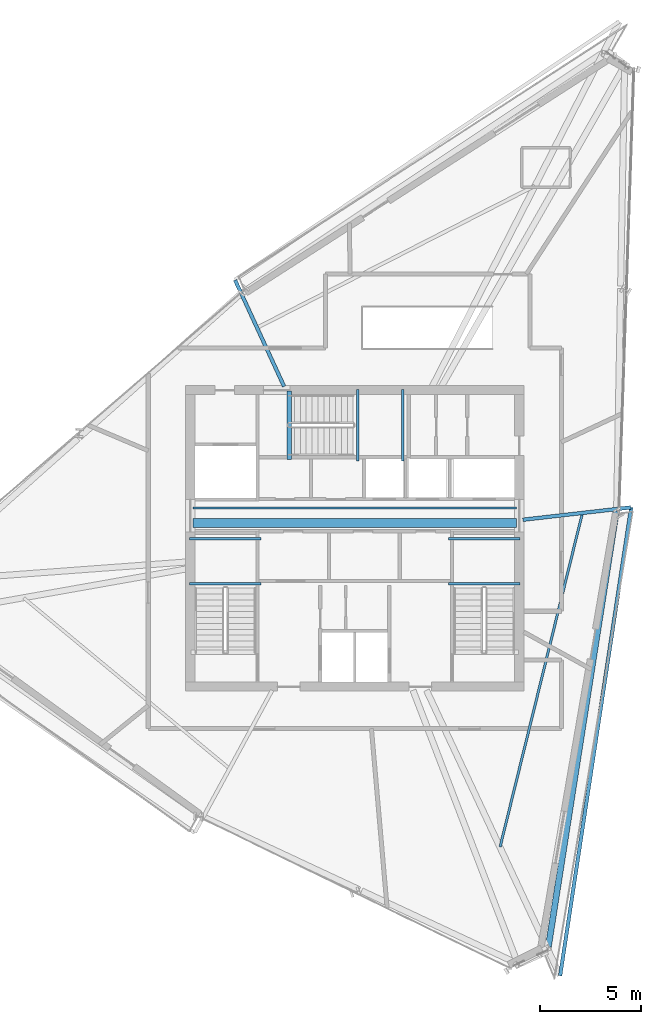
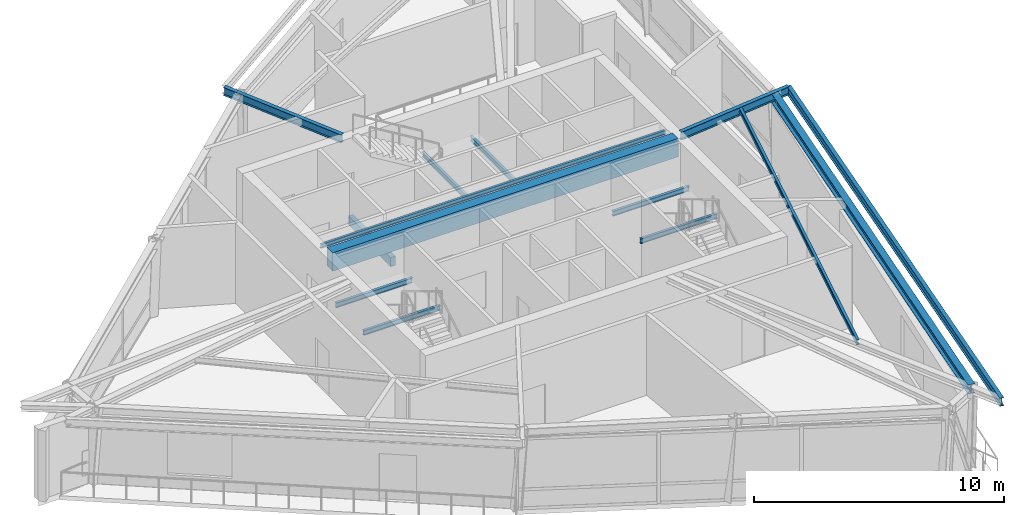
# One storey, part 9 of 22: 14 beams.
"""IFC4 building model written with IfcOpenShell, lengths in metres."""

from ifc_helpers import new_model, si_unit, direction, frame, origin, origin_2d, place, context, subcontext, project, spatial, rectangle, i_section, extrude, source, transform, mapped, material, material_profile, profile_set, type_object, element, save


model = new_model("IFC4")

# Units and contexts
model_context = context("Model", 3, precision=1e-05, world=origin(), true_north=direction((0.0, 1.0)))
body_context = subcontext(model_context, "Body", "Model", "MODEL_VIEW")
ifc_project = project(units=[si_unit("LENGTHUNIT", "METRE"), si_unit("AREAUNIT", "SQUARE_METRE"), si_unit("VOLUMEUNIT", "CUBIC_METRE"), si_unit("PLANEANGLEUNIT", "RADIAN"), si_unit("MASSUNIT", "GRAM", prefix="KILO")], contexts=[model_context])

# Site, building, storey
site_placement = place(None, origin())
site = spatial("IfcSite", under=ifc_project, at=site_placement, CompositionType="ELEMENT")
building_placement = place(site_placement, origin())
building = spatial("IfcBuilding", under=site, at=building_placement, Name="Olszyna Solenne Hotel", CompositionType="ELEMENT")
storey_placement = place(building_placement, frame((0.0, 0.0, 281.89990234375)))
storey = spatial("IfcBuildingStorey", under=building, at=storey_placement, Name="L75", CompositionType="ELEMENT", Elevation=281.89990234375)

# Beams
ifc_material_1 = material(Name="Steel S355J2", Category="steel")
ifc_material_profile_1 = material_profile(ifc_material_1, i_section(OverallWidth=0.300048828125, OverallDepth=0.449951171875, WebThickness=0.013916015625, FlangeThickness=0.02587890625, at=origin_2d()), Name="HEB 450", Category="load-bearing")
ifc_profile_set_1 = profile_set([ifc_material_profile_1], Name="Steel S355J2")
beam_type_1 = type_object("IfcBeamType", Name="BM-S4", PredefinedType="BEAM", material=ifc_profile_set_1)
shared_shape_1 = source(origin(), body_context, "Body", "SweptSolid", [
    extrude(i_section(OverallWidth=0.300048828125, OverallDepth=0.449951171875, WebThickness=0.013916015625, FlangeThickness=0.02587890625, at=origin_2d()), origin(), (0.0, 0.0, 1.0), 21.804931640625),
])
beam_1_placement = place(storey_placement, frame((47.5595703125, 6.427001953125, 3.695068359375), z_axis=(0.154255285738, 0.988031025233, 0.0), x_axis=(-0.988031025233, 0.154255285738, 0.0)))
element("IfcBeam", 1, at=beam_1_placement, inside=storey, type_object=beam_type_1, Name="Perimeter spandrel beam BM-S4 B-L75-2205", PredefinedType="BEAM", context=body_context, shape_type="MappedRepresentation", body=[
    mapped(shared_shape_1, transform((0.0, 0.0, 0.0), x_axis=(1.0, 0.0, 0.0), y_axis=(0.0, 1.0, 0.0), z_axis=(0.0, 0.0, 1.0), scale=1.0)),
])
ifc_material_profile_2 = material_profile(ifc_material_1, i_section(OverallWidth=0.179931640625, OverallDepth=0.39990234375, WebThickness=0.008544921875, FlangeThickness=0.013427734375, at=origin_2d()), Name="IPE 400", Category="load-bearing")
ifc_profile_set_2 = profile_set([ifc_material_profile_2], Name="Steel S355J2")
beam_type_2 = type_object("IfcBeamType", Name="BM-F5", PredefinedType="BEAM", material=ifc_profile_set_2)
shared_shape_2 = source(origin(), body_context, "Body", "SweptSolid", [
    extrude(i_section(OverallWidth=0.179931640625, OverallDepth=0.39990234375, WebThickness=0.008544921875, FlangeThickness=0.013427734375, at=origin_2d()), origin(), (0.0, 0.0, 1.0), 5.780029296875),
])
beam_2_placement = place(storey_placement, frame((32.088623046875, 39.35400390625, 3.72021484375), z_axis=(0.418621531577, -0.90816078604, 0.0), x_axis=(0.90816078604, 0.418621531577, 0.0)))
element("IfcBeam", 2, at=beam_2_placement, inside=storey, type_object=beam_type_2, Name="Radial floor girder BM-F5 B-L75-2210", PredefinedType="BEAM", context=body_context, shape_type="MappedRepresentation", body=[
    mapped(shared_shape_2, transform((0.0, 0.0, 0.0), x_axis=(1.0, 0.0, 0.0), y_axis=(0.0, 1.0, 0.0), z_axis=(0.0, 0.0, 1.0), scale=1.0)),
])
shared_shape_3 = source(origin(), body_context, "Body", "SweptSolid", [
    extrude(i_section(OverallWidth=0.179931640625, OverallDepth=0.39990234375, WebThickness=0.008544921875, FlangeThickness=0.013427734375, at=origin_2d()), origin(), (0.0, 0.0, 1.0), 5.365966796875),
])
beam_3_placement = place(storey_placement, frame((51.631591796875, 28.1259765625, 3.72021484375), z_axis=(-0.993556554907, -0.113337426307, 0.0), x_axis=(0.113337426307, -0.993556554907, 0.0)))
element("IfcBeam", 3, at=beam_3_placement, inside=storey, type_object=beam_type_2, Name="Radial floor girder BM-F5 B-L75-2216", PredefinedType="BEAM", context=body_context, shape_type="MappedRepresentation", body=[
    mapped(shared_shape_3, transform((0.0, 0.0, 0.0), x_axis=(1.0, 0.0, 0.0), y_axis=(0.0, 1.0, 0.0), z_axis=(0.0, 0.0, 1.0), scale=1.0)),
])
ifc_material_profile_3 = material_profile(ifc_material_1, i_section(OverallWidth=0.1201171875, OverallDepth=0.239990234375, WebThickness=0.006103515625, FlangeThickness=0.009765625, at=origin_2d()), Name="IPE 240", Category="load-bearing")
ifc_profile_set_3 = profile_set([ifc_material_profile_3], Name="Steel S355J2")
beam_type_3 = type_object("IfcBeamType", Name="JS-03", PredefinedType="JOIST", material=ifc_profile_set_3)
shared_shape_4 = source(origin(), body_context, "Body", "SweptSolid", [
    extrude(i_section(OverallWidth=0.1201171875, OverallDepth=0.239990234375, WebThickness=0.006103515625, FlangeThickness=0.009765625, at=origin_2d()), origin(), (0.0, 0.0, 1.0), 16.967041015625),
])
beam_4_placement = place(storey_placement, frame((45.17724609375, 11.360595703125, 3.800048828125), z_axis=(0.239378873314, 0.970926235618, 0.0), x_axis=(-0.970926235618, 0.239378873314, 0.0)))
element("IfcBeam", 4, at=beam_4_placement, inside=storey, type_object=beam_type_3, Name="Secondary composite floor joist JS-03 B-L75-2220", PredefinedType="JOIST", context=body_context, shape_type="MappedRepresentation", body=[
    mapped(shared_shape_4, transform((0.0, 0.0, 0.0), x_axis=(1.0, 0.0, 0.0), y_axis=(0.0, 1.0, 0.0), z_axis=(0.0, 0.0, 1.0), scale=1.0)),
])
shared_shape_5 = source(origin(), body_context, "Body", "SweptSolid", [
    extrude(i_section(OverallWidth=0.179931640625, OverallDepth=0.39990234375, WebThickness=0.008544921875, FlangeThickness=0.013427734375, at=origin_2d()), origin(), (0.0, 0.0, 1.0), 23.396240234375),
])
beam_5_placement = place(storey_placement, frame((48.142333984375, 4.996826171875, 3.72021484375), z_axis=(0.149993010421, 0.988687057074, 0.0), x_axis=(-0.988687057074, 0.149993010421, 0.0)))
element("IfcBeam", 5, at=beam_5_placement, inside=storey, type_object=beam_type_2, Name="Loggia outer edge beam BM-F5 B-L75-2223", PredefinedType="BEAM", context=body_context, shape_type="MappedRepresentation", body=[
    mapped(shared_shape_5, transform((0.0, 0.0, 0.0), x_axis=(1.0, 0.0, 0.0), y_axis=(0.0, 1.0, 0.0), z_axis=(0.0, 0.0, 1.0), scale=1.0)),
])
ifc_material_2 = material(Name="Concrete C50/60", Category="concrete")
ifc_material_profile_4 = material_profile(ifc_material_2, rectangle(XDim=0.449951171875, YDim=0.89990234375, at=origin_2d()), Name="RC 900x450", Category="load-bearing")
ifc_profile_set_4 = profile_set([ifc_material_profile_4], Name="Concrete C50/60")
beam_type_4 = type_object("IfcBeamType", Name="CB-01", PredefinedType="LINTEL", material=ifc_profile_set_4)
shared_shape_6 = source(origin(), body_context, "Body", "SweptSolid", [
    extrude(rectangle(XDim=0.449951171875, YDim=0.89990234375, at=origin_2d()), origin(), (0.0, 0.0, 1.0), 15.9599609375),
])
beam_6_placement = place(storey_placement, frame((30.02001953125, 27.35009765625, 3.47021484375), z_axis=(1.0, 0.0, 0.0), x_axis=(0.0, 1.0, 0.0)))
element("IfcBeam", 6, at=beam_6_placement, inside=storey, type_object=beam_type_4, Name="Core coupling lintel beam CB-01 L75", PredefinedType="LINTEL", context=body_context, shape_type="MappedRepresentation", body=[
    mapped(shared_shape_6, transform((0.0, 0.0, 0.0), x_axis=(1.0, 0.0, 0.0), y_axis=(0.0, 1.0, 0.0), z_axis=(0.0, 0.0, 1.0), scale=1.0)),
])
ifc_material_profile_5 = material_profile(ifc_material_1, i_section(OverallWidth=0.10009765625, OverallDepth=0.199951171875, WebThickness=0.005615234375, FlangeThickness=0.008544921875, at=origin_2d()), Name="IPE 200", Category="load-bearing")
ifc_profile_set_5 = profile_set([ifc_material_profile_5], Name="Steel S355J2")
beam_type_5 = type_object("IfcBeamType", Name="LN-01", PredefinedType="LINTEL", material=ifc_profile_set_5)
shared_shape_7 = source(origin(), body_context, "Body", "SweptSolid", [
    extrude(i_section(OverallWidth=0.10009765625, OverallDepth=0.199951171875, WebThickness=0.005615234375, FlangeThickness=0.008544921875, at=origin_2d()), origin(), (0.0, 0.0, 1.0), 15.9599609375),
])
beam_7_placement = place(storey_placement, frame((30.02001953125, 28.10009765625, 3.670166015625), z_axis=(1.0, 0.0, 0.0), x_axis=(0.0, 1.0, 0.0)))
element("IfcBeam", 7, at=beam_7_placement, inside=storey, type_object=beam_type_5, Name="Opening steel lintel LN-01 L75", PredefinedType="LINTEL", context=body_context, shape_type="MappedRepresentation", body=[
    mapped(shared_shape_7, transform((0.0, 0.0, 0.0), x_axis=(1.0, 0.0, 0.0), y_axis=(0.0, 1.0, 0.0), z_axis=(0.0, 0.0, 1.0), scale=1.0)),
])
shared_shape_8 = source(origin(), body_context, "Body", "SweptSolid", [
    extrude(i_section(OverallWidth=0.1201171875, OverallDepth=0.239990234375, WebThickness=0.006103515625, FlangeThickness=0.009765625, at=origin_2d()), origin(), (0.0, 0.0, 1.0), 3.539794921875),
])
for number, where, z_axis, x_axis, name in (
    (8, (33.3798828125, 24.360107421875, 1.775146484375), (-1.0, 0.0, 0.0), (0.0, -1.0, 0.0), "Stair landing support beam JS-03 SLB-ST1-0155"),
    (9, (33.3798828125, 26.580078125, 1.775146484375), (-1.0, 0.0, 0.0), (0.0, -1.0, 0.0), "Stair landing support beam JS-03 SLB-ST1-0156"),
    (10, (46.159912109375, 24.360107421875, 1.775146484375), (-1.0, 0.0, 0.0), (0.0, -1.0, 0.0), "Stair landing support beam JS-03 SLB-ST2-0395"),
    (11, (46.159912109375, 26.580078125, 1.775146484375), (-1.0, 0.0, 0.0), (0.0, -1.0, 0.0), "Stair landing support beam JS-03 SLB-ST2-0396"),
):
    element("IfcBeam", number, at=place(storey_placement, frame(where, z_axis=z_axis, x_axis=x_axis)), inside=storey, type_object=beam_type_3, Name=name, PredefinedType="JOIST", context=body_context, shape_type="MappedRepresentation", body=[
        mapped(shared_shape_8, transform((0.0, 0.0, 0.0), x_axis=(1.0, 0.0, 0.0), y_axis=(0.0, 1.0, 0.0), z_axis=(0.0, 0.0, 1.0), scale=1.0)),
    ])
shared_shape_9 = source(origin(), body_context, "Body", "SweptSolid", [
    extrude(i_section(OverallWidth=0.1201171875, OverallDepth=0.239990234375, WebThickness=0.006103515625, FlangeThickness=0.009765625, at=origin_2d()), origin(), (0.0, 0.0, 1.0), 3.5400390625),
])
for number, where, z_axis, x_axis, name in (
    (12, (38.139892578125, 30.419921875, 1.775146484375), (0.0, 1.0, 0.0), (-1.0, 0.0, 0.0), "Stair landing support beam JS-03 SLB-ST3-0635"),
    (13, (40.360107421875, 30.419921875, 1.775146484375), (0.0, 1.0, 0.0), (-1.0, 0.0, 0.0), "Stair landing support beam JS-03 SLB-ST3-0636"),
):
    element("IfcBeam", number, at=place(storey_placement, frame(where, z_axis=z_axis, x_axis=x_axis)), inside=storey, type_object=beam_type_3, Name=name, PredefinedType="JOIST", context=body_context, shape_type="MappedRepresentation", body=[
        mapped(shared_shape_9, transform((0.0, 0.0, 0.0), x_axis=(1.0, 0.0, 0.0), y_axis=(0.0, 1.0, 0.0), z_axis=(0.0, 0.0, 1.0), scale=1.0)),
    ])
ifc_material_profile_6 = material_profile(ifc_material_2, rectangle(XDim=0.219970703125, YDim=0.43994140625, at=origin_2d()), Name="RC 220x440", Category="load-bearing")
ifc_profile_set_6 = profile_set([ifc_material_profile_6], Name="Concrete C50/60")
beam_type_6 = type_object("IfcBeamType", Name="BM-ST1", PredefinedType="BEAM", material=ifc_profile_set_6)
shared_shape_10 = source(origin(), body_context, "Body", "SweptSolid", [
    extrude(rectangle(XDim=0.219970703125, YDim=0.43994140625, at=origin_2d()), origin(), (0.0, 0.0, 1.0), 3.3798828125),
])
beam_8_placement = place(storey_placement, frame((34.760009765625, 30.5, -0.204833984375), z_axis=(0.0, 1.0, 0.0), x_axis=(-1.0, 0.0, 0.0)))
element("IfcBeam", 14, at=beam_8_placement, inside=storey, type_object=beam_type_6, Name="Concrete stair trimmer beam BM-ST1 SHB-ST3-0715", PredefinedType="BEAM", context=body_context, shape_type="MappedRepresentation", body=[
    mapped(shared_shape_10, transform((0.0, 0.0, 0.0), x_axis=(1.0, 0.0, 0.0), y_axis=(0.0, 1.0, 0.0), z_axis=(0.0, 0.0, 1.0), scale=1.0)),
])

save(model, "model.ifc")
